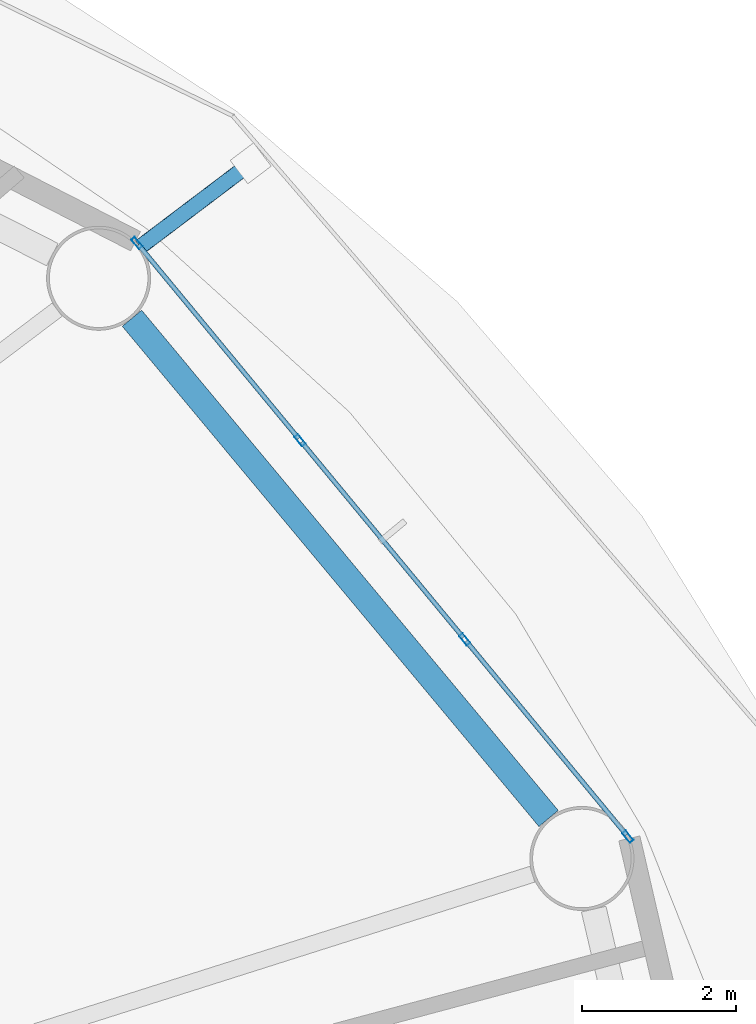
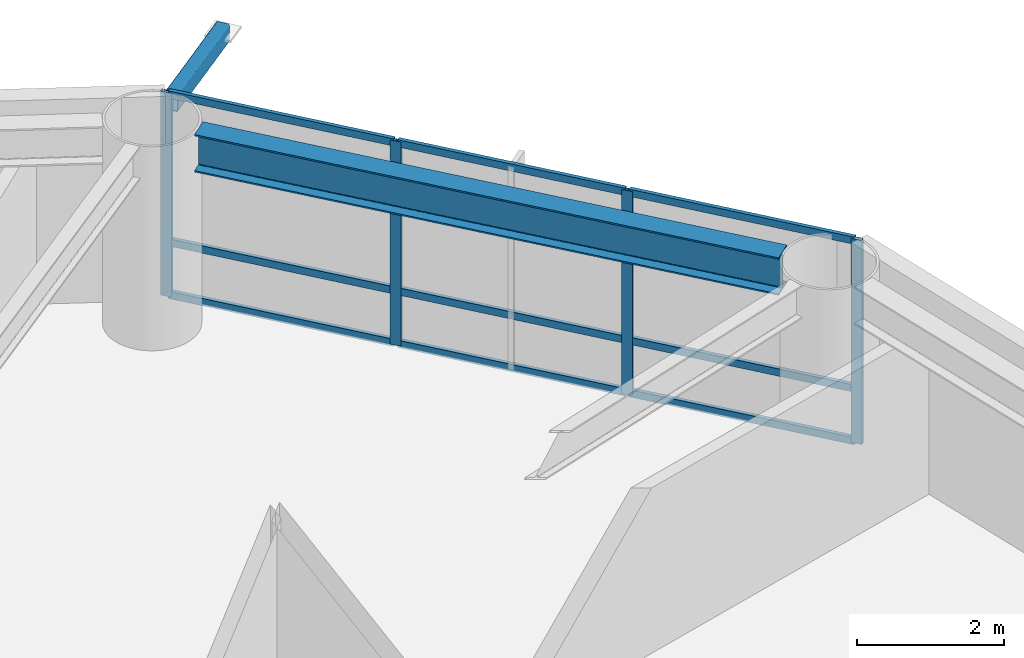
# One storey, part 14 of 26: 14 members, 1 beam, 1 element without a shape of its own.
"""IFC4 building model written with IfcOpenShell, lengths in metres."""

from ifc_helpers import new_model, si_unit, direction, frame, origin, origin_2d, place, context, subcontext, project, spatial, hollow_rectangle, i_section, extrude, material, layer, layer_set, material_profile, profile_set, type_object, element, aggregate, save


model = new_model("IFC4")

# Units and contexts
model_context = context("Model", 3, precision=1e-05, world=origin(), true_north=direction((0.0, 1.0)))
body_context = subcontext(model_context, "Body", "Model", "MODEL_VIEW")
ifc_project = project(units=[si_unit("LENGTHUNIT", "METRE"), si_unit("AREAUNIT", "SQUARE_METRE"), si_unit("VOLUMEUNIT", "CUBIC_METRE"), si_unit("PLANEANGLEUNIT", "RADIAN"), si_unit("MASSUNIT", "GRAM", prefix="KILO")], contexts=[model_context])

# Site, building, storey
site_placement = place(None, origin())
site = spatial("IfcSite", under=ifc_project, at=site_placement, CompositionType="ELEMENT")
building_placement = place(site_placement, origin())
building = spatial("IfcBuilding", under=site, at=building_placement, Name="Sarneth Arch Tower", CompositionType="ELEMENT")
storey_placement = place(building_placement, frame((0.0, 0.0, 42.60009765625)))
storey = spatial("IfcBuildingStorey", under=building, at=storey_placement, Name="L09", CompositionType="ELEMENT", Elevation=42.60009765625)

# Beam
ifc_material_1 = material(Name="Steel S355", Category="steel")
ifc_material_profile_1 = material_profile(ifc_material_1, i_section(OverallWidth=0.326904296875, OverallDepth=0.6220703125, WebThickness=0.015380859375, FlangeThickness=0.0244140625, FilletRadius=0.01904296875, at=origin_2d()), Name="W610x195")
ifc_profile_set_1 = profile_set([ifc_material_profile_1], Name="Steel S355")
beam_type = type_object("IfcBeamType", Name="BM-SPAN-610A", PredefinedType="SPANDREL", material=ifc_profile_set_1)
beam_placement = place(storey_placement, frame((75.533447265625, 51.39697265625, 3.06884765625), z_axis=(-0.639979646835, 0.768391860731, 0.0), x_axis=(-0.768391860731, -0.639979646835, 0.0)))
element("IfcBeam", 1, at=beam_placement, inside=storey, type_object=beam_type, Name="L09 Perimeter spandrel beam 02", PredefinedType="SPANDREL", context=body_context, shape_type="SweptSolid", body=[
    extrude(i_section(OverallWidth=0.326904296875, OverallDepth=0.6220703125, WebThickness=0.015380859375, FlangeThickness=0.0244140625, FilletRadius=0.01904296875, at=origin_2d()), origin(), (0.0, 0.0, 1.0), 8.4453125),
])

# Curtain wall, members
ifc_material_2 = material(Name="Anodised aluminium Type AA25 and solar-control low-e laminated IGU", Category="aluminium")
ifc_layer = layer(ifc_material_2, 0.159912109375)
ifc_layer_set = layer_set([ifc_layer], Name="Anodised aluminium Type AA25 and solar-control low-e laminated IGU")
curtain_wall_type = type_object("IfcCurtainWallType", Name="CW-HOTEL-LOW", PredefinedType="NOTDEFINED", material=ifc_layer_set)
curtain_wall_placement = place(storey_placement, origin())
curtain_wall = element("IfcCurtainWall", 2, at=curtain_wall_placement, inside=storey, type_object=curtain_wall_type, Name="L09 Unitised curtain wall facet 02", PredefinedType="NOTDEFINED")
ifc_material_3 = material(Name="Anodised Aluminium 6063-T6", Category="aluminium")
ifc_material_profile_2 = material_profile(ifc_material_3, hollow_rectangle(XDim=0.06005859375, YDim=0.159912109375, WallThickness=0.00390625, at=origin_2d()), Name="AL-MULL-160x60x4")
ifc_profile_set_2 = profile_set([ifc_material_profile_2], Name="Anodised Aluminium 6063-T6")
member_type_1 = type_object("IfcMemberType", Name="CW-MULLION", PredefinedType="MULLION", material=ifc_profile_set_2)
member_1_placement = place(storey_placement, frame((76.561767578125, 51.16162109375, 0.0), z_axis=(0.0, 0.0, 1.0), x_axis=(-0.770622960278, -0.637291340827, 0.0)))
member_1 = element("IfcMember", 3, at=member_1_placement, type_object=member_type_1, Name="CW-SYS-3 mullion 1", PredefinedType="MULLION", context=body_context, shape_type="SweptSolid", body=[
    extrude(hollow_rectangle(XDim=0.06005859375, YDim=0.159912109375, WallThickness=0.00390625, at=origin_2d()), origin(), (0.0, 0.0, 1.0), 3.3798828125),
])
member_2_placement = place(storey_placement, frame((74.4453125, 53.720947265625, 0.0), z_axis=(0.0, 0.0, 1.0), x_axis=(-0.770622960278, -0.637291340827, 0.0)))
member_2 = element("IfcMember", 4, at=member_2_placement, type_object=member_type_1, Name="CW-SYS-3 mullion 2", PredefinedType="MULLION", context=body_context, shape_type="SweptSolid", body=[
    extrude(hollow_rectangle(XDim=0.06005859375, YDim=0.159912109375, WallThickness=0.00390625, at=origin_2d()), origin(), (0.0, 0.0, 1.0), 3.3798828125),
])
member_3_placement = place(storey_placement, frame((72.309814453125, 56.30322265625, 0.0), z_axis=(0.0, 0.0, 1.0), x_axis=(-0.770622960278, -0.637291340827, 0.0)))
member_3 = element("IfcMember", 5, at=member_3_placement, type_object=member_type_1, Name="CW-SYS-3 mullion 3", PredefinedType="MULLION", context=body_context, shape_type="SweptSolid", body=[
    extrude(hollow_rectangle(XDim=0.06005859375, YDim=0.159912109375, WallThickness=0.00390625, at=origin_2d()), origin(), (0.0, 0.0, 1.0), 3.3798828125),
])
member_4_placement = place(storey_placement, frame((70.193359375, 58.862548828125, 0.0), z_axis=(0.0, 0.0, 1.0), x_axis=(-0.770622960278, -0.637291340827, 0.0)))
member_4 = element("IfcMember", 6, at=member_4_placement, type_object=member_type_1, Name="CW-SYS-3 mullion 4", PredefinedType="MULLION", context=body_context, shape_type="SweptSolid", body=[
    extrude(hollow_rectangle(XDim=0.06005859375, YDim=0.159912109375, WallThickness=0.00390625, at=origin_2d()), origin(), (0.0, 0.0, 1.0), 3.3798828125),
])
ifc_material_4 = material(Name="Anodised Aluminium 6063-T6", Category="aluminium")
ifc_material_profile_3 = material_profile(ifc_material_4, hollow_rectangle(XDim=0.06005859375, YDim=0.1201171875, WallThickness=0.00390625, at=origin_2d()), Name="AL-TRAN-120x60x4")
ifc_profile_set_3 = profile_set([ifc_material_profile_3], Name="Anodised Aluminium 6063-T6")
member_type_2 = type_object("IfcMemberType", Name="CW-TRANSOM", PredefinedType="USERDEFINED", material=ifc_profile_set_3)
member_5_placement = place(storey_placement, frame((76.542724609375, 51.184814453125, 0.02978515625), z_axis=(-0.63733019572, 0.77059082633, 0.0), x_axis=(-0.77059082633, -0.63733019572, 0.0)))
member_5 = element("IfcMember", 7, at=member_5_placement, type_object=member_type_2, Name="CW-SYS-3 transom 1.1", ObjectType="TRANSOM", PredefinedType="USERDEFINED", context=body_context, shape_type="SweptSolid", body=[
    extrude(hollow_rectangle(XDim=0.06005859375, YDim=0.1201171875, WallThickness=0.00390625, at=origin_2d()), origin(), (0.0, 0.0, 1.0), 3.260986328125),
])
member_6_placement = place(storey_placement, frame((76.542724609375, 51.184814453125, 0.89990234375), z_axis=(-0.63733019572, 0.77059082633, 0.0), x_axis=(-0.77059082633, -0.63733019572, 0.0)))
member_6 = element("IfcMember", 8, at=member_6_placement, type_object=member_type_2, Name="CW-SYS-3 transom 1.2", ObjectType="TRANSOM", PredefinedType="USERDEFINED", context=body_context, shape_type="SweptSolid", body=[
    extrude(hollow_rectangle(XDim=0.06005859375, YDim=0.1201171875, WallThickness=0.00390625, at=origin_2d()), origin(), (0.0, 0.0, 1.0), 3.260986328125),
])
member_7_placement = place(storey_placement, frame((76.542724609375, 51.184814453125, 3.349853515625), z_axis=(-0.63733019572, 0.77059082633, 0.0), x_axis=(-0.77059082633, -0.63733019572, 0.0)))
member_7 = element("IfcMember", 9, at=member_7_placement, type_object=member_type_2, Name="CW-SYS-3 transom 1.3", ObjectType="TRANSOM", PredefinedType="USERDEFINED", context=body_context, shape_type="SweptSolid", body=[
    extrude(hollow_rectangle(XDim=0.06005859375, YDim=0.1201171875, WallThickness=0.00390625, at=origin_2d()), origin(), (0.0, 0.0, 1.0), 3.260986328125),
])
member_8_placement = place(storey_placement, frame((74.42626953125, 53.743896484375, 0.02978515625), z_axis=(-0.637268595771, 0.770641769465, 0.0), x_axis=(-0.770641769465, -0.637268595771, 0.0)))
member_8 = element("IfcMember", 10, at=member_8_placement, type_object=member_type_2, Name="CW-SYS-3 transom 2.1", ObjectType="TRANSOM", PredefinedType="USERDEFINED", context=body_context, shape_type="SweptSolid", body=[
    extrude(hollow_rectangle(XDim=0.06005859375, YDim=0.1201171875, WallThickness=0.00390625, at=origin_2d()), origin(), (0.0, 0.0, 1.0), 3.291259765625),
])
member_9_placement = place(storey_placement, frame((74.42626953125, 53.743896484375, 0.89990234375), z_axis=(-0.637268595771, 0.770641769465, 0.0), x_axis=(-0.770641769465, -0.637268595771, 0.0)))
member_9 = element("IfcMember", 11, at=member_9_placement, type_object=member_type_2, Name="CW-SYS-3 transom 2.2", ObjectType="TRANSOM", PredefinedType="USERDEFINED", context=body_context, shape_type="SweptSolid", body=[
    extrude(hollow_rectangle(XDim=0.06005859375, YDim=0.1201171875, WallThickness=0.00390625, at=origin_2d()), origin(), (0.0, 0.0, 1.0), 3.291259765625),
])
member_10_placement = place(storey_placement, frame((74.42626953125, 53.743896484375, 3.349853515625), z_axis=(-0.637268595771, 0.770641769465, 0.0), x_axis=(-0.770641769465, -0.637268595771, 0.0)))
member_10 = element("IfcMember", 12, at=member_10_placement, type_object=member_type_2, Name="CW-SYS-3 transom 2.3", ObjectType="TRANSOM", PredefinedType="USERDEFINED", context=body_context, shape_type="SweptSolid", body=[
    extrude(hollow_rectangle(XDim=0.06005859375, YDim=0.1201171875, WallThickness=0.00390625, at=origin_2d()), origin(), (0.0, 0.0, 1.0), 3.291259765625),
])
member_11_placement = place(storey_placement, frame((72.29052734375, 56.326416015625, 0.02978515625), z_axis=(-0.637285736625, 0.770627594817, 0.0), x_axis=(-0.770627594817, -0.637285736625, 0.0)))
member_11 = element("IfcMember", 13, at=member_11_placement, type_object=member_type_2, Name="CW-SYS-3 transom 3.1", ObjectType="TRANSOM", PredefinedType="USERDEFINED", context=body_context, shape_type="SweptSolid", body=[
    extrude(hollow_rectangle(XDim=0.06005859375, YDim=0.1201171875, WallThickness=0.00390625, at=origin_2d()), origin(), (0.0, 0.0, 1.0), 3.260986328125),
])
member_12_placement = place(storey_placement, frame((72.29052734375, 56.326416015625, 0.89990234375), z_axis=(-0.637285736625, 0.770627594817, 0.0), x_axis=(-0.770627594817, -0.637285736625, 0.0)))
member_12 = element("IfcMember", 14, at=member_12_placement, type_object=member_type_2, Name="CW-SYS-3 transom 3.2", ObjectType="TRANSOM", PredefinedType="USERDEFINED", context=body_context, shape_type="SweptSolid", body=[
    extrude(hollow_rectangle(XDim=0.06005859375, YDim=0.1201171875, WallThickness=0.00390625, at=origin_2d()), origin(), (0.0, 0.0, 1.0), 3.260986328125),
])
member_13_placement = place(storey_placement, frame((72.29052734375, 56.326416015625, 3.349853515625), z_axis=(-0.637285736625, 0.770627594817, 0.0), x_axis=(-0.770627594817, -0.637285736625, 0.0)))
member_13 = element("IfcMember", 15, at=member_13_placement, type_object=member_type_2, Name="CW-SYS-3 transom 3.3", ObjectType="TRANSOM", PredefinedType="USERDEFINED", context=body_context, shape_type="SweptSolid", body=[
    extrude(hollow_rectangle(XDim=0.06005859375, YDim=0.1201171875, WallThickness=0.00390625, at=origin_2d()), origin(), (0.0, 0.0, 1.0), 3.260986328125),
])
aggregate(curtain_wall, [member_1, member_2, member_3, member_4, member_5, member_6, member_7, member_8, member_9, member_10, member_11, member_12, member_13])

# Member
ifc_material_5 = material(Name="Steel S355", Category="steel")
ifc_material_profile_4 = material_profile(ifc_material_5, hollow_rectangle(XDim=0.199951171875, YDim=0.300048828125, WallThickness=0.012451171875, InnerFilletRadius=0.018798828125, OuterFilletRadius=0.03125, at=origin_2d()), Name="RHS300x200x12.5")
ifc_profile_set_4 = profile_set([ifc_material_profile_4], Name="Steel S355")
member_type_3 = type_object("IfcMemberType", Name="MEM-CANT-STRUT", PredefinedType="STRUT", material=ifc_profile_set_4)
member_14_placement = place(storey_placement, frame((70.235107421875, 58.81201171875, 3.219970703125), z_axis=(0.797630646148, 0.603146211399, 0.0), x_axis=(-0.603146211399, 0.797630646148, 0.0)))
element("IfcMember", 16, at=member_14_placement, inside=storey, type_object=member_type_3, Name="L09 Balcony cantilever bracket 03", PredefinedType="STRUT", context=body_context, shape_type="SweptSolid", body=[
    extrude(hollow_rectangle(XDim=0.199951171875, YDim=0.300048828125, WallThickness=0.012451171875, InnerFilletRadius=0.018798828125, OuterFilletRadius=0.03125, at=origin_2d()), origin(), (0.0, 0.0, 1.0), 1.797607421875),
])

save(model, "model.ifc")
